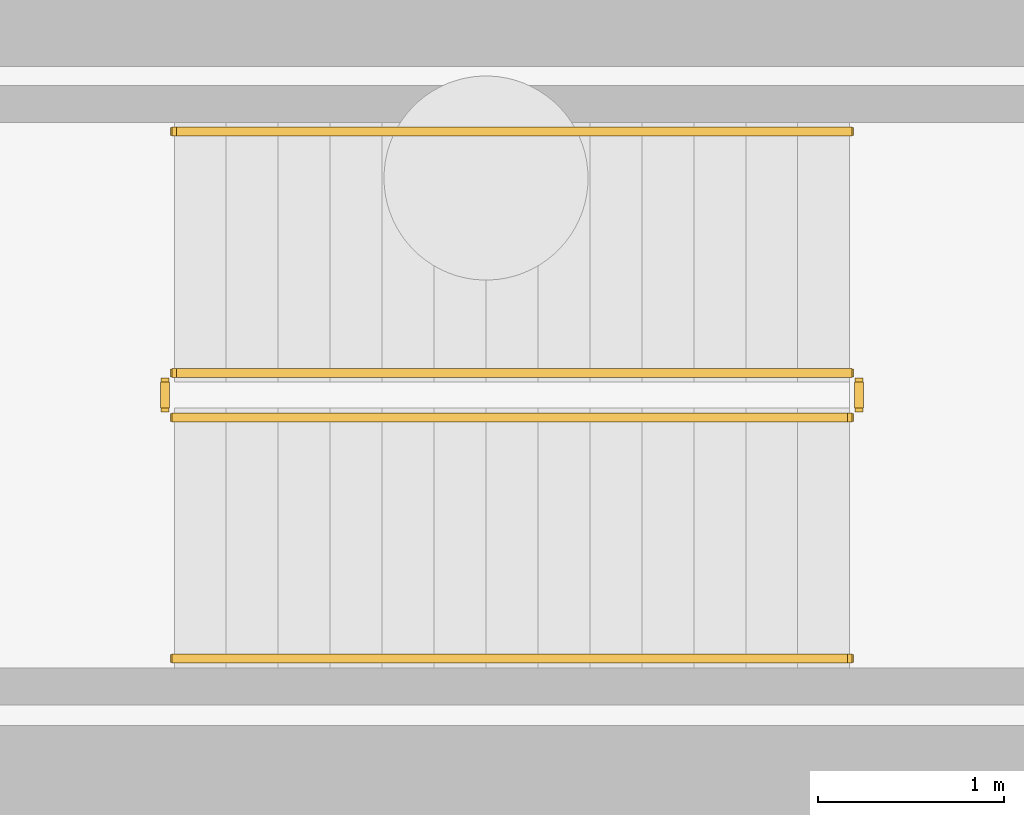
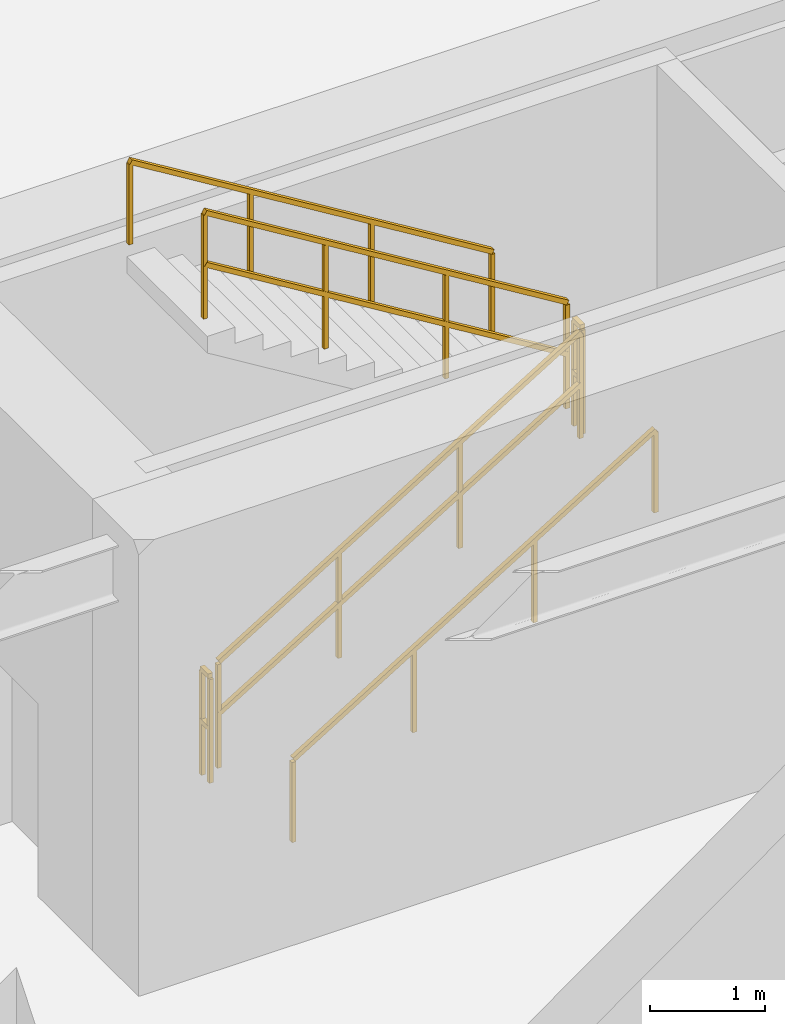
# One storey, part 10 of 13: 6 railings.
"""IFC4 building model written with IfcOpenShell, lengths in metres."""

from ifc_helpers import new_model, si_unit, direction, frame, origin, origin_2d, place, context, subcontext, project, spatial, rectangle, extrude, material, type_object, element, save


model = new_model("IFC4")

# Units and contexts
model_context = context("Model", 3, precision=1e-05, world=origin(), true_north=direction((0.0, 1.0)))
body_context = subcontext(model_context, "Body", "Model", "MODEL_VIEW")
ifc_project = project(units=[si_unit("LENGTHUNIT", "METRE"), si_unit("AREAUNIT", "SQUARE_METRE"), si_unit("VOLUMEUNIT", "CUBIC_METRE"), si_unit("PLANEANGLEUNIT", "RADIAN"), si_unit("MASSUNIT", "GRAM", prefix="KILO"), si_unit("THERMODYNAMICTEMPERATUREUNIT", "KELVIN"), si_unit("POWERUNIT", "WATT")], contexts=[model_context])

# Site, building, storey
site_placement = place(None, origin())
site = spatial("IfcSite", under=ifc_project, at=site_placement, CompositionType="ELEMENT")
building_placement = place(site_placement, origin())
building = spatial("IfcBuilding", under=site, at=building_placement, Name="Qiaomeng Ring Towers", CompositionType="ELEMENT")
storey_placement = place(building_placement, frame((0.0, 0.0, -9.60009765625)))
storey = spatial("IfcBuildingStorey", under=building, at=storey_placement, Name="B2", CompositionType="ELEMENT", Elevation=-9.60009765625)

# Railings
ifc_material_1 = material(Name="Galvanised steel", Category="steel")
railing_type_1 = type_object("IfcRailingType", Name="ARC-RL-GUARD", PredefinedType="GUARDRAIL", material=ifc_material_1)
railing_1_placement = place(storey_placement, frame((56.419921875, 14.510009765625, 0.171630859375)))
element("IfcRailing", 1, at=railing_1_placement, inside=storey, type_object=railing_type_1, Name="B2 ST6 stair guard 1", PredefinedType="GUARDRAIL", context=body_context, shape_type="SweptSolid", body=[
    extrude(rectangle(XDim=0.048095703125, YDim=0.048095703125, at=origin_2d()), frame((0.0, 0.0, 1.1259765625), z_axis=(0.852865859571, 0.0, 0.52213008492), x_axis=(0.0, 1.0, 0.0)), (0.0, 0.0, 1.0), 4.26806640625),
    extrude(rectangle(XDim=0.048095703125, YDim=0.048095703125, at=origin_2d()), frame((0.0, 0.0, 0.574951171875), z_axis=(0.852865859571, 0.0, 0.52213008492), x_axis=(0.0, 1.0, 0.0)), (0.0, 0.0, 1.0), 4.26806640625),
    extrude(rectangle(XDim=0.0419921875, YDim=0.0419921875, at=origin_2d()), origin(), (0.0, 0.0, 1.0), 1.101806640625),
    extrude(rectangle(XDim=0.0419921875, YDim=0.0419921875, at=origin_2d()), frame((1.21337890625, 0.0, 0.742919921875)), (0.0, 0.0, 1.0), 1.101806640625),
    extrude(rectangle(XDim=0.0419921875, YDim=0.0419921875, at=origin_2d()), frame((2.4267578125, 0.0, 1.485595703125)), (0.0, 0.0, 1.0), 1.101806640625),
    extrude(rectangle(XDim=0.0419921875, YDim=0.0419921875, at=origin_2d()), frame((3.64013671875, 0.0, 2.228515625)), (0.0, 0.0, 1.0), 1.101806640625),
])
railing_2_placement = place(storey_placement, frame((60.110107421875, 14.56005859375, 2.400146484375)))
element("IfcRailing", 2, at=railing_2_placement, inside=storey, type_object=railing_type_1, Name="B2 ST6 stair guard 2", PredefinedType="GUARDRAIL", context=body_context, shape_type="SweptSolid", body=[
    extrude(rectangle(XDim=0.048095703125, YDim=0.048095703125, at=origin_2d()), frame((0.0, 0.0, 1.1259765625), z_axis=(0.0, 1.0, 0.0), x_axis=(-1.0, 0.0, 0.0)), (0.0, 0.0, 1.0), 0.139892578125),
    extrude(rectangle(XDim=0.048095703125, YDim=0.048095703125, at=origin_2d()), frame((0.0, 0.0, 0.574951171875), z_axis=(0.0, 1.0, 0.0), x_axis=(-1.0, 0.0, 0.0)), (0.0, 0.0, 1.0), 0.139892578125),
    extrude(rectangle(XDim=0.0419921875, YDim=0.0419921875, at=origin_2d()), origin(), (0.0, 0.0, 1.0), 1.101806640625),
    extrude(rectangle(XDim=0.0419921875, YDim=0.0419921875, at=origin_2d()), frame((0.0, 0.139892578125, 0.0)), (0.0, 0.0, 1.0), 1.101806640625),
])
railing_3_placement = place(storey_placement, frame((60.06005859375, 14.75, 2.571533203125)))
element("IfcRailing", 3, at=railing_3_placement, inside=storey, type_object=railing_type_1, Name="B2 ST6 stair guard 3", PredefinedType="GUARDRAIL", context=body_context, shape_type="SweptSolid", body=[
    extrude(rectangle(XDim=0.048095703125, YDim=0.048095703125, at=origin_2d()), frame((0.0, 0.0, 1.1259765625), z_axis=(-0.852865859571, 0.0, 0.52213008492), x_axis=(0.0, -1.0, 0.0)), (0.0, 0.0, 1.0), 4.26806640625),
    extrude(rectangle(XDim=0.048095703125, YDim=0.048095703125, at=origin_2d()), frame((0.0, 0.0, 0.574951171875), z_axis=(-0.852865859571, 0.0, 0.52213008492), x_axis=(0.0, -1.0, 0.0)), (0.0, 0.0, 1.0), 4.26806640625),
    extrude(rectangle(XDim=0.0419921875, YDim=0.0419921875, at=origin_2d()), origin(), (0.0, 0.0, 1.0), 1.101806640625),
    extrude(rectangle(XDim=0.0419921875, YDim=0.0419921875, at=origin_2d()), frame((-1.21337890625, 0.0, 0.742919921875)), (0.0, 0.0, 1.0), 1.101806640625),
    extrude(rectangle(XDim=0.0419921875, YDim=0.0419921875, at=origin_2d()), frame((-2.4267578125, 0.0, 1.485595703125)), (0.0, 0.0, 1.0), 1.101806640625),
    extrude(rectangle(XDim=0.0419921875, YDim=0.0419921875, at=origin_2d()), frame((-3.64013671875, 0.0, 2.228515625)), (0.0, 0.0, 1.0), 1.101806640625),
])
railing_4_placement = place(storey_placement, frame((56.3701171875, 14.56005859375, 0.0)))
element("IfcRailing", 4, at=railing_4_placement, inside=storey, type_object=railing_type_1, Name="B2 ST6 stair guard 4", PredefinedType="GUARDRAIL", context=body_context, shape_type="SweptSolid", body=[
    extrude(rectangle(XDim=0.048095703125, YDim=0.048095703125, at=origin_2d()), frame((0.0, 0.0, 1.1259765625), z_axis=(0.0, 1.0, 0.0), x_axis=(-1.0, 0.0, 0.0)), (0.0, 0.0, 1.0), 0.139892578125),
    extrude(rectangle(XDim=0.048095703125, YDim=0.048095703125, at=origin_2d()), frame((0.0, 0.0, 0.574951171875), z_axis=(0.0, 1.0, 0.0), x_axis=(-1.0, 0.0, 0.0)), (0.0, 0.0, 1.0), 0.139892578125),
    extrude(rectangle(XDim=0.0419921875, YDim=0.0419921875, at=origin_2d()), origin(), (0.0, 0.0, 1.0), 1.101806640625),
    extrude(rectangle(XDim=0.0419921875, YDim=0.0419921875, at=origin_2d()), frame((0.0, 0.139892578125, 0.0)), (0.0, 0.0, 1.0), 1.101806640625),
])
ifc_material_2 = material(Name="Stainless steel 316", Category="steel")
railing_type_2 = type_object("IfcRailingType", Name="ARC-RL-HAND", PredefinedType="HANDRAIL", material=ifc_material_2)
railing_5_placement = place(storey_placement, frame((56.419921875, 13.2099609375, 0.171630859375)))
element("IfcRailing", 5, at=railing_5_placement, inside=storey, type_object=railing_type_2, Name="B2 ST6 stair handrail 1", PredefinedType="HANDRAIL", context=body_context, shape_type="SweptSolid", body=[
    extrude(rectangle(XDim=0.048095703125, YDim=0.048095703125, at=origin_2d()), frame((0.0, 0.0, 0.8759765625), z_axis=(0.852865859571, 0.0, 0.52213008492), x_axis=(0.0, 1.0, 0.0)), (0.0, 0.0, 1.0), 4.26806640625),
    extrude(rectangle(XDim=0.0419921875, YDim=0.0419921875, at=origin_2d()), origin(), (0.0, 0.0, 1.0), 0.851806640625),
    extrude(rectangle(XDim=0.0419921875, YDim=0.0419921875, at=origin_2d()), frame((1.21337890625, 0.0, 0.742919921875)), (0.0, 0.0, 1.0), 0.851806640625),
    extrude(rectangle(XDim=0.0419921875, YDim=0.0419921875, at=origin_2d()), frame((2.4267578125, 0.0, 1.485595703125)), (0.0, 0.0, 1.0), 0.851806640625),
    extrude(rectangle(XDim=0.0419921875, YDim=0.0419921875, at=origin_2d()), frame((3.64013671875, 0.0, 2.228515625)), (0.0, 0.0, 1.0), 0.851806640625),
])
railing_6_placement = place(storey_placement, frame((60.06005859375, 16.050048828125, 2.571533203125)))
element("IfcRailing", 6, at=railing_6_placement, inside=storey, type_object=railing_type_2, Name="B2 ST6 stair handrail 2", PredefinedType="HANDRAIL", context=body_context, shape_type="SweptSolid", body=[
    extrude(rectangle(XDim=0.048095703125, YDim=0.048095703125, at=origin_2d()), frame((0.0, 0.0, 0.8759765625), z_axis=(-0.852865859571, 0.0, 0.52213008492), x_axis=(0.0, -1.0, 0.0)), (0.0, 0.0, 1.0), 4.26806640625),
    extrude(rectangle(XDim=0.0419921875, YDim=0.0419921875, at=origin_2d()), origin(), (0.0, 0.0, 1.0), 0.851806640625),
    extrude(rectangle(XDim=0.0419921875, YDim=0.0419921875, at=origin_2d()), frame((-1.21337890625, 0.0, 0.742919921875)), (0.0, 0.0, 1.0), 0.851806640625),
    extrude(rectangle(XDim=0.0419921875, YDim=0.0419921875, at=origin_2d()), frame((-2.4267578125, 0.0, 1.485595703125)), (0.0, 0.0, 1.0), 0.851806640625),
    extrude(rectangle(XDim=0.0419921875, YDim=0.0419921875, at=origin_2d()), frame((-3.64013671875, 0.0, 2.228515625)), (0.0, 0.0, 1.0), 0.851806640625),
])

save(model, "model.ifc")
